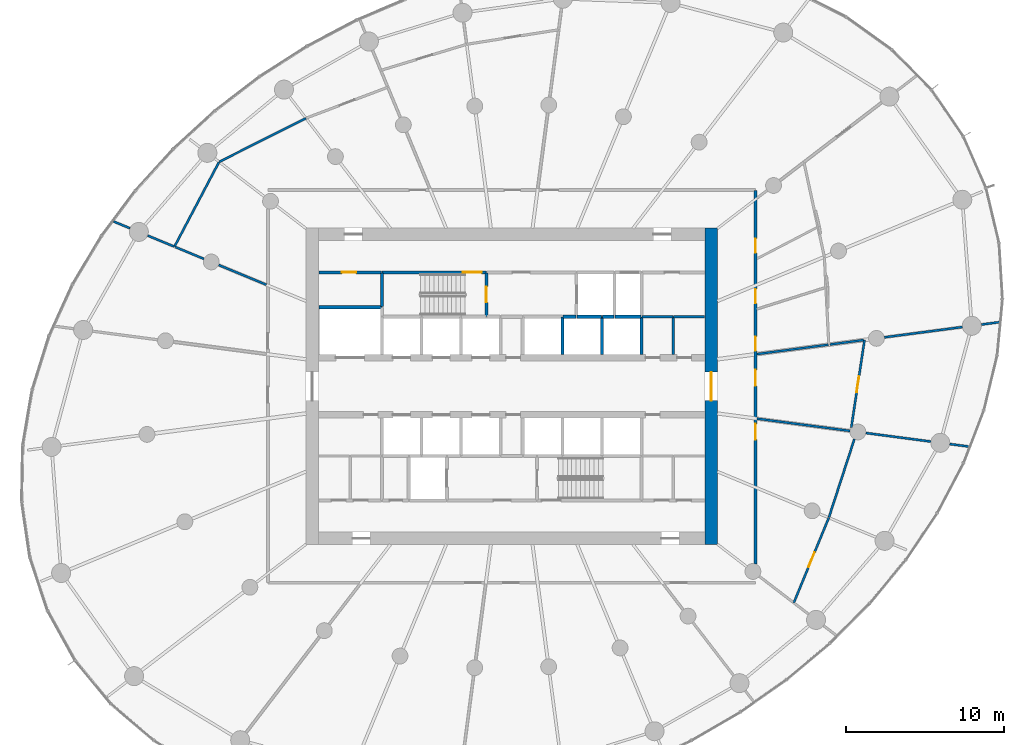
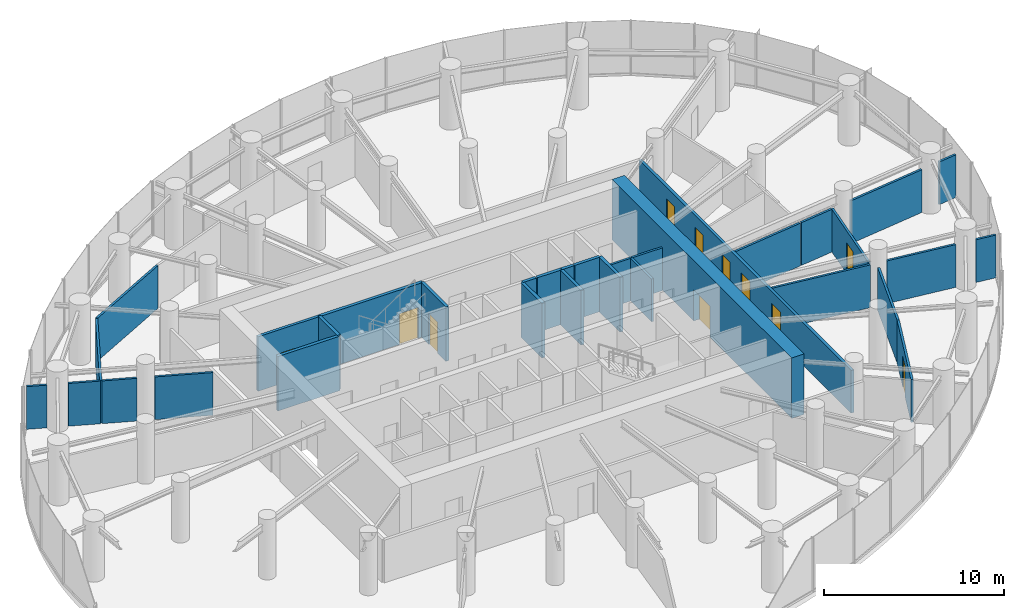
# One storey, part 13 of 18: 33 walls, 11 doors, 11 openings.
"""IFC4 building model written with IfcOpenShell, lengths in metres."""

from ifc_helpers import new_model, si_unit, direction, frame, frame_2d, origin, place, context, subcontext, project, spatial, rectangle, extrude, source, transform, mapped, material, layer, layer_set, type_object, element, fill, save


model = new_model("IFC4")

# Units and contexts
model_context = context("Model", 3, precision=1e-05, world=origin(), true_north=direction((0.0, 1.0)))
body_context = subcontext(model_context, "Body", "Model", "MODEL_VIEW")
ifc_project = project(units=[si_unit("LENGTHUNIT", "METRE"), si_unit("AREAUNIT", "SQUARE_METRE"), si_unit("VOLUMEUNIT", "CUBIC_METRE"), si_unit("PLANEANGLEUNIT", "RADIAN"), si_unit("MASSUNIT", "GRAM", prefix="KILO")], contexts=[model_context])

# Site, building, storey
site_placement = place(None, origin())
site = spatial("IfcSite", under=ifc_project, at=site_placement, CompositionType="ELEMENT")
building_placement = place(site_placement, origin())
building = spatial("IfcBuilding", under=site, at=building_placement, Name="Spindrift Exchange Tower", CompositionType="ELEMENT")
storey_placement = place(building_placement, frame((0.0, 0.0, 116.699951171875)))
storey = spatial("IfcBuildingStorey", under=building, at=storey_placement, Name="L27", CompositionType="ELEMENT", Elevation=116.699951171875)

# Wall, opening, door
ifc_material_1 = material(Name="Concrete 65 MPa", Category="concrete")
ifc_layer_1 = layer(ifc_material_1, 0.800048828125)
ifc_layer_set_1 = layer_set([ifc_layer_1], Name="RC Core Wall 800 Concrete 65 MPa")
wall_type_1 = type_object("IfcWallType", Name="RC Core Wall 800 Concrete 65 MPa", PredefinedType="SHEAR", material=ifc_layer_set_1)
wall_1_placement = place(storey_placement, frame((64.60009765625, 38.0, 0.0), z_axis=(0.0, 0.0, 1.0), x_axis=(0.0, 1.0, 0.0)))
wall_1 = element("IfcWall", 1, at=wall_1_placement, inside=storey, type_object=wall_type_1, Name="Core wall E L27", PredefinedType="SHEAR", context=body_context, shape_type="SweptSolid", body=[
    extrude(rectangle(XDim=20.0, YDim=0.800048828125, at=frame_2d((10.0, 0.0))), origin(), (0.0, 0.0, 1.0), 4.10009765625),
])
opening_1_placement = place(wall_1_placement, frame((9.10009765625, 0.0, 0.0)))
opening_1 = element("IfcOpeningElement", 2, at=opening_1_placement, cuts=wall_1, Name="Opening L27-D2", PredefinedType="OPENING", context=body_context, shape_type="SweptSolid", body=[
    extrude(rectangle(XDim=1.800048828125, YDim=2.10009765625, at=frame_2d((0.89990234375, 1.050048828125))), frame((0.0, 0.409912109375, 0.0), z_axis=(0.0, -1.0, 0.0), x_axis=(1.0, 0.0, 0.0)), (0.0, 0.0, 1.0), 0.820068359375),
])
ifc_material_2 = material(Name="Timber-core fire door", Category="wood")
door_type_1 = type_object("IfcDoorType", Name="DR-LOBBY-1800", OperationType="NOTDEFINED", PredefinedType="DOOR", material=ifc_material_2)
shared_shape_1 = source(origin(), body_context, "Body", "SweptSolid", [
    extrude(rectangle(XDim=1.800048828125, YDim=2.10009765625, at=frame_2d((0.89990234375, 1.050048828125))), frame((0.0, 0.02490234375, 0.0), z_axis=(0.0, -1.0, 0.0), x_axis=(1.0, 0.0, 0.0)), (0.0, 0.0, 1.0), 0.050048828125),
])
door_1_placement = place(opening_1_placement, origin())
door_1 = element("IfcDoor", 3, at=door_1_placement, inside=storey, type_object=door_type_1, Name="L27 Lobby door 2", OperationType="SINGLE_SWING_LEFT", OverallHeight=2.10009765625, OverallWidth=1.800048828125, PredefinedType="DOOR", context=body_context, shape_type="MappedRepresentation", body=[
    mapped(shared_shape_1, transform((0.0, 0.0, 0.0), scale=1.0)),
])
fill(opening_1, door_1)

ifc_material_3 = material(Name="Fire-rated plasterboard partition", Category="gypsum")
ifc_layer_2 = layer(ifc_material_3, 0.179931640625)
ifc_layer_set_2 = layer_set([ifc_layer_2], Name="W-CORR-180")
wall_type_2 = type_object("IfcWallType", Name="W-CORR-180", PredefinedType="PARTITIONING", material=ifc_layer_set_2)
wall_2_placement = place(storey_placement, frame((43.77001953125, 55.199951171875, 0.0), z_axis=(0.0, 0.0, 1.0), x_axis=(-1.0, 0.0, 0.0)))
wall_2 = element("IfcWall", 4, at=wall_2_placement, inside=storey, type_object=wall_type_2, Name="L27 Partition wall 64", PredefinedType="PARTITIONING", context=body_context, shape_type="SweptSolid", body=[
    extrude(rectangle(XDim=3.949951171875, YDim=0.179931640625, at=frame_2d((1.97509765625, 0.0))), origin(), (0.0, 0.0, 1.0), 3.699951171875),
])
opening_2_placement = place(wall_2_placement, frame((1.60009765625, 0.0, 0.0)))
opening_2 = element("IfcOpeningElement", 5, at=opening_2_placement, cuts=wall_2, Name="Opening L27-D43", PredefinedType="OPENING", context=body_context, shape_type="SweptSolid", body=[
    extrude(rectangle(XDim=0.89990234375, YDim=2.10009765625, at=frame_2d((0.449951171875, 1.050048828125))), frame((0.0, 0.099853515625, 0.0), z_axis=(0.0, -1.0, 0.0), x_axis=(1.0, 0.0, 0.0)), (0.0, 0.0, 1.0), 0.199951171875),
])
ifc_material_4 = material(Name="Steel access door", Category="steel")
door_type_2 = type_object("IfcDoorType", Name="DR-RISER-900", OperationType="NOTDEFINED", PredefinedType="DOOR", material=ifc_material_4)
shared_shape_2 = source(origin(), body_context, "Body", "SweptSolid", [
    extrude(rectangle(XDim=0.89990234375, YDim=2.10009765625, at=frame_2d((0.449951171875, 1.050048828125))), frame((0.0, 0.02490234375, 0.0), z_axis=(0.0, -1.0, 0.0), x_axis=(1.0, 0.0, 0.0)), (0.0, 0.0, 1.0), 0.050048828125),
])
door_2_placement = place(opening_2_placement, origin())
door_2 = element("IfcDoor", 6, at=door_2_placement, inside=storey, type_object=door_type_2, Name="L27 Riser door 43", OperationType="SINGLE_SWING_RIGHT", OverallHeight=2.10009765625, OverallWidth=0.89990234375, PredefinedType="DOOR", context=body_context, shape_type="MappedRepresentation", body=[
    mapped(shared_shape_2, transform((0.0, 0.0, 0.0), scale=1.0)),
])
fill(opening_2, door_2)

# Walls
ifc_layer_3 = layer(ifc_material_3, 0.139892578125)
ifc_layer_set_3 = layer_set([ifc_layer_3], Name="W-PART-140")
wall_type_3 = type_object("IfcWallType", Name="W-PART-140", PredefinedType="PARTITIONING", material=ifc_layer_set_3)
wall_3_placement = place(storey_placement, frame((39.004150390625, 64.9365234375, 0.0), z_axis=(0.0, 0.0, 1.0), x_axis=(-0.893310463622, -0.449440113456, 0.0)))
element("IfcWall", 7, at=wall_3_placement, inside=storey, type_object=wall_type_3, Name="L27 Partition wall 67", PredefinedType="PARTITIONING", context=body_context, shape_type="SweptSolid", body=[
    extrude(rectangle(XDim=6.13671875, YDim=0.139892578125, at=frame_2d((3.068359375, 0.0))), origin(), (0.0, 0.0, 1.0), 2.900146484375),
])
wall_4_placement = place(storey_placement, frame((33.50830078125, 62.152099609375, 0.0), z_axis=(0.0, 0.0, 1.0), x_axis=(-0.466160635686, -0.88470009706, 0.0)))
element("IfcWall", 8, at=wall_4_placement, inside=storey, type_object=wall_type_3, Name="L27 Partition wall 69", PredefinedType="PARTITIONING", context=body_context, shape_type="SweptSolid", body=[
    extrude(rectangle(XDim=6.02392578125, YDim=0.139892578125, at=frame_2d((3.011962890625, 0.0))), origin(), (0.0, 0.0, 1.0), 2.900146484375),
])
wall_5_placement = place(storey_placement, frame((67.489990234375, 50.039306640625, 0.0), z_axis=(0.0, 0.0, 1.0), x_axis=(0.991447158899, 0.130508739594, 0.0)))
element("IfcWall", 9, at=wall_5_placement, inside=storey, type_object=wall_type_3, Name="L27 Partition wall 83", PredefinedType="PARTITIONING", context=body_context, shape_type="SweptSolid", body=[
    extrude(rectangle(XDim=4.5419921875, YDim=0.139892578125, at=frame_2d((2.27099609375, 0.0))), origin(), (0.0, 0.0, 1.0), 2.900146484375),
])
wall_6_placement = place(storey_placement, frame((36.510009765625, 54.416259765625, 0.0), z_axis=(0.0, 0.0, 1.0), x_axis=(-0.923911109142, 0.382607190737, 0.0)))
element("IfcWall", 10, at=wall_6_placement, inside=storey, type_object=wall_type_3, Name="L27 Partition wall 89", PredefinedType="PARTITIONING", context=body_context, shape_type="SweptSolid", body=[
    extrude(rectangle(XDim=3.264404296875, YDim=0.139892578125, at=frame_2d((1.63232421875, 0.0))), origin(), (0.0, 0.0, 1.0), 2.900146484375),
])
wall_7_placement = place(storey_placement, frame((62.199951171875, 50.010009765625, 0.0), z_axis=(0.0, 0.0, 1.0), x_axis=(0.0, 1.0, 0.0)))
element("IfcWall", 11, at=wall_7_placement, inside=storey, type_object=wall_type_3, Name="L27 Partition wall 94", PredefinedType="PARTITIONING", context=body_context, shape_type="SweptSolid", body=[
    extrude(rectangle(XDim=2.389892578125, YDim=0.139892578125, at=frame_2d((1.19482421875, 0.0))), origin(), (0.0, 0.0, 1.0), 2.900146484375),
])
wall_8_placement = place(storey_placement, frame((32.560791015625, 56.052001953125, 0.0), z_axis=(0.0, 0.0, 1.0), x_axis=(-0.923859136089, 0.382732669974, 0.0)))
element("IfcWall", 12, at=wall_8_placement, inside=storey, type_object=wall_type_3, Name="L27 Partition wall 99", PredefinedType="PARTITIONING", context=body_context, shape_type="SweptSolid", body=[
    extrude(rectangle(XDim=1.943603515625, YDim=0.139892578125, at=frame_2d((0.9716796875, 0.0))), origin(), (0.0, 0.0, 1.0), 2.900146484375),
])
wall_9_placement = place(storey_placement, frame((62.169921875, 52.39990234375, 0.0), z_axis=(0.0, 0.0, 1.0), x_axis=(-1.0, 0.0, 0.0)))
element("IfcWall", 13, at=wall_9_placement, inside=storey, type_object=wall_type_3, Name="L27 Partition wall 102", PredefinedType="PARTITIONING", context=body_context, shape_type="SweptSolid", body=[
    extrude(rectangle(XDim=1.93994140625, YDim=0.139892578125, at=frame_2d((0.969970703125, 0.0))), origin(), (0.0, 0.0, 1.0), 2.900146484375),
])
wall_10_placement = place(storey_placement, frame((64.179931640625, 52.39990234375, 0.0), z_axis=(0.0, 0.0, 1.0), x_axis=(-1.0, 0.0, 0.0)))
element("IfcWall", 14, at=wall_10_placement, inside=storey, type_object=wall_type_3, Name="L27 Partition wall 104", PredefinedType="PARTITIONING", context=body_context, shape_type="SweptSolid", body=[
    extrude(rectangle(XDim=1.949951171875, YDim=0.139892578125, at=frame_2d((0.97509765625, 0.0))), origin(), (0.0, 0.0, 1.0), 2.900146484375),
])
wall_11_placement = place(storey_placement, frame((30.672607421875, 56.834228515625, 0.0), z_axis=(0.0, 0.0, 1.0), x_axis=(-0.923914248106, 0.382599610751, 0.0)))
element("IfcWall", 15, at=wall_11_placement, inside=storey, type_object=wall_type_3, Name="L27 Partition wall 107", PredefinedType="PARTITIONING", context=body_context, shape_type="SweptSolid", body=[
    extrude(rectangle(XDim=1.798095703125, YDim=0.139892578125, at=frame_2d((0.89892578125, 0.0))), origin(), (0.0, 0.0, 1.0), 2.900146484375),
])
wall_12_placement = place(storey_placement, frame((27.893310546875, 57.9853515625, 0.0), z_axis=(0.0, 0.0, 1.0), x_axis=(-0.923895360736, 0.382645217415, 0.0)))
element("IfcWall", 16, at=wall_12_placement, inside=storey, type_object=wall_type_3, Name="L27 Partition wall 120", PredefinedType="PARTITIONING", context=body_context, shape_type="SweptSolid", body=[
    extrude(rectangle(XDim=1.126708984375, YDim=0.139892578125, at=frame_2d((0.5634765625, 0.0))), origin(), (0.0, 0.0, 1.0), 2.900146484375),
])
ifc_layer_4 = layer(ifc_material_3, 0.139892578125)
ifc_layer_set_4 = layer_set([ifc_layer_4], Name="W-PLANT-140")
wall_type_4 = type_object("IfcWallType", Name="W-PLANT-140", PredefinedType="PARTITIONING", material=ifc_layer_set_4)
wall_13_placement = place(storey_placement, frame((67.489990234375, 45.960693359375, 0.0), z_axis=(0.0, 0.0, 1.0), x_axis=(0.991445034615, -0.130524876315, 0.0)))
element("IfcWall", 17, at=wall_13_placement, inside=storey, type_object=wall_type_4, Name="L27 Partition wall 70", PredefinedType="PARTITIONING", context=body_context, shape_type="SweptSolid", body=[
    extrude(rectangle(XDim=5.923828125, YDim=0.139892578125, at=frame_2d((2.9619140625, 0.0))), origin(), (0.0, 0.0, 1.0), 2.900146484375),
])

# Wall, opening, door
wall_14_placement = place(storey_placement, frame((72.025390625, 39.705078125, 0.0), z_axis=(0.0, 0.0, 1.0), x_axis=(-0.380730787006, -0.924685929289, 0.0)))
wall_14 = element("IfcWall", 18, at=wall_14_placement, inside=storey, type_object=wall_type_4, Name="L27 Partition wall 73", PredefinedType="PARTITIONING", context=body_context, shape_type="SweptSolid", body=[
    extrude(rectangle(XDim=5.81103515625, YDim=0.139892578125, at=frame_2d((2.905517578125, 0.0))), origin(), (0.0, 0.0, 1.0), 2.900146484375),
])
opening_3_placement = place(wall_14_placement, frame((2.361083984375, 0.0, 0.0)))
opening_3 = element("IfcOpeningElement", 19, at=opening_3_placement, cuts=wall_14, Name="Opening L27-D40", PredefinedType="OPENING", context=body_context, shape_type="SweptSolid", body=[
    extrude(rectangle(XDim=1.0, YDim=2.10009765625, at=frame_2d((0.5, 1.050048828125))), frame((0.0, 0.079833984375, 0.0), z_axis=(0.0, -1.0, 0.0), x_axis=(1.0, 0.0, 0.0)), (0.0, 0.0, 1.0), 0.159912109375),
])
door_type_3 = type_object("IfcDoorType", Name="DR-ROOM-1000", OperationType="NOTDEFINED", PredefinedType="DOOR", material=ifc_material_2)
shared_shape_3 = source(origin(), body_context, "Body", "SweptSolid", [
    extrude(rectangle(XDim=1.0, YDim=2.10009765625, at=frame_2d((0.5, 1.050048828125))), frame((0.0, 0.02490234375, 0.0), z_axis=(0.0, -1.0, 0.0), x_axis=(1.0, 0.0, 0.0)), (0.0, 0.0, 1.0), 0.050048828125),
])
door_3_placement = place(opening_3_placement, origin())
door_3 = element("IfcDoor", 20, at=door_3_placement, inside=storey, type_object=door_type_3, Name="L27 Door 40", OperationType="SINGLE_SWING_LEFT", OverallHeight=2.10009765625, OverallWidth=1.0, PredefinedType="DOOR", context=body_context, shape_type="MappedRepresentation", body=[
    mapped(shared_shape_3, transform((0.0, 0.0, 0.0), scale=1.0)),
])
fill(opening_3, door_3)

wall_15_placement = place(storey_placement, frame((74.28076171875, 50.933349609375, 0.0), z_axis=(0.0, 0.0, 1.0), x_axis=(-0.149214013395, -0.988804924243, 0.0)))
wall_15 = element("IfcWall", 21, at=wall_15_placement, inside=storey, type_object=wall_type_4, Name="L27 Partition wall 76", PredefinedType="PARTITIONING", context=body_context, shape_type="SweptSolid", body=[
    extrude(rectangle(XDim=5.589111328125, YDim=0.139892578125, at=frame_2d((2.79443359375, 0.0))), origin(), (0.0, 0.0, 1.0), 2.900146484375),
])
opening_4_placement = place(wall_15_placement, frame((2.339111328125, 0.0, 0.0)))
opening_4 = element("IfcOpeningElement", 22, at=opening_4_placement, cuts=wall_15, Name="Opening L27-D42", PredefinedType="OPENING", context=body_context, shape_type="SweptSolid", body=[
    extrude(rectangle(XDim=1.0, YDim=2.10009765625, at=frame_2d((0.5, 1.050048828125))), frame((0.0, 0.079833984375, 0.0), z_axis=(0.0, -1.0, 0.0), x_axis=(1.0, 0.0, 0.0)), (0.0, 0.0, 1.0), 0.159912109375),
])
door_4_placement = place(opening_4_placement, origin())
door_4 = element("IfcDoor", 23, at=door_4_placement, inside=storey, type_object=door_type_3, Name="L27 Door 42", OperationType="SINGLE_SWING_LEFT", OverallHeight=2.10009765625, OverallWidth=1.0, PredefinedType="DOOR", context=body_context, shape_type="MappedRepresentation", body=[
    mapped(shared_shape_3, transform((0.0, 0.0, 0.0), scale=1.0)),
])
fill(opening_4, door_4)

# Walls
wall_16_placement = place(storey_placement, frame((72.03466796875, 39.733642578125, 0.0), z_axis=(0.0, 0.0, 1.0), x_axis=(0.309177540115, 0.95100433684, 0.0)))
element("IfcWall", 24, at=wall_16_placement, inside=storey, type_object=wall_type_4, Name="L27 Partition wall 79", PredefinedType="PARTITIONING", context=body_context, shape_type="SweptSolid", body=[
    extrude(rectangle(XDim=5.1904296875, YDim=0.139892578125, at=frame_2d((2.59521484375, 0.0))), origin(), (0.0, 0.0, 1.0), 2.900146484375),
])
wall_17_placement = place(storey_placement, frame((75.533935546875, 51.098388671875, 0.0), z_axis=(0.0, 0.0, 1.0), x_axis=(0.991443414541, 0.130537181533, 0.0)))
element("IfcWall", 25, at=wall_17_placement, inside=storey, type_object=wall_type_4, Name="L27 Partition wall 80", PredefinedType="PARTITIONING", context=body_context, shape_type="SweptSolid", body=[
    extrude(rectangle(XDim=4.965576171875, YDim=0.139892578125, at=frame_2d((2.48291015625, 0.0))), origin(), (0.0, 0.0, 1.0), 2.900146484375),
])
wall_18_placement = place(storey_placement, frame((74.36328125, 45.055908203125, 0.0), z_axis=(0.0, 0.0, 1.0), x_axis=(0.991445054296, -0.130524726824, 0.0)))
element("IfcWall", 26, at=wall_18_placement, inside=storey, type_object=wall_type_4, Name="L27 Partition wall 87", PredefinedType="PARTITIONING", context=body_context, shape_type="SweptSolid", body=[
    extrude(rectangle(XDim=4.137451171875, YDim=0.139892578125, at=frame_2d((2.06884765625, 0.0))), origin(), (0.0, 0.0, 1.0), 2.900146484375),
])
wall_19_placement = place(storey_placement, frame((72.09228515625, 50.645263671875, 0.0), z_axis=(0.0, 0.0, 1.0), x_axis=(0.991447286478, 0.130507770405, 0.0)))
element("IfcWall", 27, at=wall_19_placement, inside=storey, type_object=wall_type_4, Name="L27 Partition wall 95", PredefinedType="PARTITIONING", context=body_context, shape_type="SweptSolid", body=[
    extrude(rectangle(XDim=2.134521484375, YDim=0.139892578125, at=frame_2d((1.0673828125, 0.0))), origin(), (0.0, 0.0, 1.0), 2.900146484375),
])
wall_20_placement = place(storey_placement, frame((79.663818359375, 44.35791015625, 0.0), z_axis=(0.0, 0.0, 1.0), x_axis=(0.991444694364, -0.130527460778, 0.0)))
element("IfcWall", 28, at=wall_20_placement, inside=storey, type_object=wall_type_4, Name="L27 Partition wall 116", PredefinedType="PARTITIONING", context=body_context, shape_type="SweptSolid", body=[
    extrude(rectangle(XDim=1.2119140625, YDim=0.139892578125, at=frame_2d((0.60595703125, 0.0))), origin(), (0.0, 0.0, 1.0), 2.900146484375),
])
wall_21_placement = place(storey_placement, frame((81.655517578125, 51.904296875, 0.0), z_axis=(0.0, 0.0, 1.0), x_axis=(0.991450010741, 0.130487072933, 0.0)))
element("IfcWall", 29, at=wall_21_placement, inside=storey, type_object=wall_type_4, Name="L27 Partition wall 118", PredefinedType="PARTITIONING", context=body_context, shape_type="SweptSolid", body=[
    extrude(rectangle(XDim=1.163818359375, YDim=0.139892578125, at=frame_2d((0.58203125, 0.0))), origin(), (0.0, 0.0, 1.0), 2.900146484375),
])

# Wall, openings, doors
ifc_layer_5 = layer(ifc_material_3, 0.179931640625)
ifc_layer_set_5 = layer_set([ifc_layer_5], Name="W-PLANT-180")
wall_type_5 = type_object("IfcWallType", Name="W-PLANT-180", PredefinedType="PARTITIONING", material=ifc_layer_set_5)
wall_22_placement = place(storey_placement, frame((67.39990234375, 60.3701171875, 0.0), z_axis=(0.0, 0.0, 1.0), x_axis=(0.0, -1.0, 0.0)))
wall_22 = element("IfcWall", 30, at=wall_22_placement, inside=storey, type_object=wall_type_5, Name="L27 Partition wall 59", PredefinedType="PARTITIONING", context=body_context, shape_type="SweptSolid", body=[
    extrude(rectangle(XDim=23.58251953125, YDim=0.179931640625, at=frame_2d((11.791259765625, 0.0))), origin(), (0.0, 0.0, 1.0), 2.900146484375),
])
opening_5_placement = place(wall_22_placement, frame((9.232421875, 0.0, 0.0)))
opening_5 = element("IfcOpeningElement", 31, at=opening_5_placement, cuts=wall_22, Name="Opening L27-D24", PredefinedType="OPENING", context=body_context, shape_type="SweptSolid", body=[
    extrude(rectangle(XDim=0.89990234375, YDim=2.10009765625, at=frame_2d((0.449951171875, 1.050048828125))), frame((0.0, 0.099853515625, 0.0), z_axis=(0.0, -1.0, 0.0), x_axis=(1.0, 0.0, 0.0)), (0.0, 0.0, 1.0), 0.199951171875),
])
opening_6_placement = place(wall_22_placement, frame((6.232421875, 0.0, 0.0)))
opening_6 = element("IfcOpeningElement", 32, at=opening_6_placement, cuts=wall_22, Name="Opening L27-D25", PredefinedType="OPENING", context=body_context, shape_type="SweptSolid", body=[
    extrude(rectangle(XDim=0.89990234375, YDim=2.10009765625, at=frame_2d((0.449951171875, 1.050048828125))), frame((0.0, 0.099853515625, 0.0), z_axis=(0.0, -1.0, 0.0), x_axis=(1.0, 0.0, 0.0)), (0.0, 0.0, 1.0), 0.199951171875),
])
opening_7_placement = place(wall_22_placement, frame((3.032470703125, 0.0, 0.0)))
opening_7 = element("IfcOpeningElement", 33, at=opening_7_placement, cuts=wall_22, Name="Opening L27-D26", PredefinedType="OPENING", context=body_context, shape_type="SweptSolid", body=[
    extrude(rectangle(XDim=0.89990234375, YDim=2.10009765625, at=frame_2d((0.449951171875, 1.050048828125))), frame((0.0, 0.099853515625, 0.0), z_axis=(0.0, -1.0, 0.0), x_axis=(1.0, 0.0, 0.0)), (0.0, 0.0, 1.0), 0.199951171875),
])
opening_8_placement = place(wall_22_placement, frame((14.732421875, 0.0, 0.0)))
opening_8 = element("IfcOpeningElement", 34, at=opening_8_placement, cuts=wall_22, Name="Opening L27-D39", PredefinedType="OPENING", context=body_context, shape_type="SweptSolid", body=[
    extrude(rectangle(XDim=1.0, YDim=2.10009765625, at=frame_2d((0.5, 1.050048828125))), frame((0.0, 0.099853515625, 0.0), z_axis=(0.0, -1.0, 0.0), x_axis=(1.0, 0.0, 0.0)), (0.0, 0.0, 1.0), 0.199951171875),
])
opening_9_placement = place(wall_22_placement, frame((11.33251953125, 0.0, 0.0)))
opening_9 = element("IfcOpeningElement", 35, at=opening_9_placement, cuts=wall_22, Name="Opening L27-D41", PredefinedType="OPENING", context=body_context, shape_type="SweptSolid", body=[
    extrude(rectangle(XDim=1.0, YDim=2.10009765625, at=frame_2d((0.5, 1.050048828125))), frame((0.0, 0.099853515625, 0.0), z_axis=(0.0, -1.0, 0.0), x_axis=(1.0, 0.0, 0.0)), (0.0, 0.0, 1.0), 0.199951171875),
])
door_5_placement = place(opening_8_placement, origin())
door_5 = element("IfcDoor", 36, at=door_5_placement, inside=storey, type_object=door_type_3, Name="L27 Door 39", OperationType="SINGLE_SWING_RIGHT", OverallHeight=2.10009765625, OverallWidth=1.0, PredefinedType="DOOR", context=body_context, shape_type="MappedRepresentation", body=[
    mapped(shared_shape_3, transform((0.0, 0.0, 0.0), scale=1.0)),
])
fill(opening_8, door_5)
door_6_placement = place(opening_9_placement, origin())
door_6 = element("IfcDoor", 37, at=door_6_placement, inside=storey, type_object=door_type_3, Name="L27 Door 41", OperationType="SINGLE_SWING_RIGHT", OverallHeight=2.10009765625, OverallWidth=1.0, PredefinedType="DOOR", context=body_context, shape_type="MappedRepresentation", body=[
    mapped(shared_shape_3, transform((0.0, 0.0, 0.0), scale=1.0)),
])
fill(opening_9, door_6)
ifc_material_5 = material(Name="Laminate washroom door", Category="wood")
door_type_4 = type_object("IfcDoorType", Name="DR-WC-900", OperationType="NOTDEFINED", PredefinedType="DOOR", material=ifc_material_5)
shared_shape_4 = source(origin(), body_context, "Body", "SweptSolid", [
    extrude(rectangle(XDim=0.89990234375, YDim=2.10009765625, at=frame_2d((0.449951171875, 1.050048828125))), frame((0.0, 0.02490234375, 0.0), z_axis=(0.0, -1.0, 0.0), x_axis=(1.0, 0.0, 0.0)), (0.0, 0.0, 1.0), 0.050048828125),
])
door_7_placement = place(opening_5_placement, origin())
door_7 = element("IfcDoor", 38, at=door_7_placement, inside=storey, type_object=door_type_4, Name="L27 WC door 24", OperationType="SINGLE_SWING_LEFT", OverallHeight=2.10009765625, OverallWidth=0.89990234375, PredefinedType="DOOR", context=body_context, shape_type="MappedRepresentation", body=[
    mapped(shared_shape_4, transform((0.0, 0.0, 0.0), scale=1.0)),
])
fill(opening_5, door_7)
door_8_placement = place(opening_6_placement, origin())
door_8 = element("IfcDoor", 39, at=door_8_placement, inside=storey, type_object=door_type_4, Name="L27 WC door 25", OperationType="SINGLE_SWING_RIGHT", OverallHeight=2.10009765625, OverallWidth=0.89990234375, PredefinedType="DOOR", context=body_context, shape_type="MappedRepresentation", body=[
    mapped(shared_shape_4, transform((0.0, 0.0, 0.0), scale=1.0)),
])
fill(opening_6, door_8)
door_9_placement = place(opening_7_placement, origin())
door_9 = element("IfcDoor", 40, at=door_9_placement, inside=storey, type_object=door_type_4, Name="L27 WC door 26", OperationType="SINGLE_SWING_LEFT", OverallHeight=2.10009765625, OverallWidth=0.89990234375, PredefinedType="DOOR", context=body_context, shape_type="MappedRepresentation", body=[
    mapped(shared_shape_4, transform((0.0, 0.0, 0.0), scale=1.0)),
])
fill(opening_7, door_9)

# Walls
ifc_material_6 = material(Name="Concrete 40 MPa", Category="concrete")
ifc_layer_6 = layer(ifc_material_6, 0.199951171875)
ifc_layer_set_6 = layer_set([ifc_layer_6], Name="W-SHAFT-200")
wall_type_6 = type_object("IfcWallType", Name="W-SHAFT-200", PredefinedType="SOLIDWALL", material=ifc_layer_set_6)
wall_23_placement = place(storey_placement, frame((55.199951171875, 50.010009765625, 0.0), z_axis=(0.0, 0.0, 1.0), x_axis=(0.0, 1.0, 0.0)))
element("IfcWall", 41, at=wall_23_placement, inside=storey, type_object=wall_type_6, Name="L27 Shaft wall 34", PredefinedType="SOLIDWALL", context=body_context, shape_type="SweptSolid", body=[
    extrude(rectangle(XDim=2.360107421875, YDim=0.199951171875, at=frame_2d((1.18017578125, 0.0))), origin(), (0.0, 0.0, 1.0), 3.699951171875),
])
wall_24_placement = place(storey_placement, frame((57.699951171875, 50.010009765625, 0.0), z_axis=(0.0, 0.0, 1.0), x_axis=(0.0, 1.0, 0.0)))
element("IfcWall", 42, at=wall_24_placement, inside=storey, type_object=wall_type_6, Name="L27 Shaft wall 36", PredefinedType="SOLIDWALL", context=body_context, shape_type="SweptSolid", body=[
    extrude(rectangle(XDim=2.389892578125, YDim=0.199951171875, at=frame_2d((1.19482421875, 0.0))), origin(), (0.0, 0.0, 1.0), 3.699951171875),
])
wall_25_placement = place(storey_placement, frame((60.199951171875, 50.010009765625, 0.0), z_axis=(0.0, 0.0, 1.0), x_axis=(0.0, 1.0, 0.0)))
element("IfcWall", 43, at=wall_25_placement, inside=storey, type_object=wall_type_6, Name="L27 Shaft wall 38", PredefinedType="SOLIDWALL", context=body_context, shape_type="SweptSolid", body=[
    extrude(rectangle(XDim=2.360107421875, YDim=0.199951171875, at=frame_2d((1.18017578125, 0.0))), origin(), (0.0, 0.0, 1.0), 3.699951171875),
])
wall_26_placement = place(storey_placement, frame((60.169921875, 52.39990234375, 0.0), z_axis=(0.0, 0.0, 1.0), x_axis=(-1.0, 0.0, 0.0)))
element("IfcWall", 44, at=wall_26_placement, inside=storey, type_object=wall_type_6, Name="L27 Shaft wall 42", PredefinedType="SOLIDWALL", context=body_context, shape_type="SweptSolid", body=[
    extrude(rectangle(XDim=1.639892578125, YDim=0.199951171875, at=frame_2d((0.81982421875, 0.0))), origin(), (0.0, 0.0, 1.0), 3.699951171875),
])
wall_27_placement = place(storey_placement, frame((57.669921875, 52.39990234375, 0.0), z_axis=(0.0, 0.0, 1.0), x_axis=(-1.0, 0.0, 0.0)))
element("IfcWall", 45, at=wall_27_placement, inside=storey, type_object=wall_type_6, Name="L27 Shaft wall 47", PredefinedType="SOLIDWALL", context=body_context, shape_type="SweptSolid", body=[
    extrude(rectangle(XDim=1.5400390625, YDim=0.199951171875, at=frame_2d((0.77001953125, 0.0))), origin(), (0.0, 0.0, 1.0), 3.699951171875),
])
wall_28_placement = place(storey_placement, frame((56.070068359375, 52.39990234375, 0.0), z_axis=(0.0, 0.0, 1.0), x_axis=(-1.0, 0.0, 0.0)))
element("IfcWall", 46, at=wall_28_placement, inside=storey, type_object=wall_type_6, Name="L27 Shaft wall 53", PredefinedType="SOLIDWALL", context=body_context, shape_type="SweptSolid", body=[
    extrude(rectangle(XDim=0.840087890625, YDim=0.199951171875, at=frame_2d((0.419921875, 0.0))), origin(), (0.0, 0.0, 1.0), 3.699951171875),
])
wall_29_placement = place(storey_placement, frame((58.469970703125, 52.39990234375, 0.0), z_axis=(0.0, 0.0, 1.0), x_axis=(-1.0, 0.0, 0.0)))
element("IfcWall", 47, at=wall_29_placement, inside=storey, type_object=wall_type_6, Name="L27 Shaft wall 55", PredefinedType="SOLIDWALL", context=body_context, shape_type="SweptSolid", body=[
    extrude(rectangle(XDim=0.739990234375, YDim=0.199951171875, at=frame_2d((0.3701171875, 0.0))), origin(), (0.0, 0.0, 1.0), 3.699951171875),
])

# Wall, opening, door
ifc_layer_7 = layer(ifc_material_6, 0.199951171875)
ifc_layer_set_7 = layer_set([ifc_layer_7], Name="W-SHAFT-200-LB")
wall_type_7 = type_object("IfcWallType", Name="W-SHAFT-200-LB", PredefinedType="SOLIDWALL", material=ifc_layer_set_7)
wall_30_placement = place(storey_placement, frame((50.39990234375, 55.199951171875, 0.0), z_axis=(0.0, 0.0, 1.0), x_axis=(-1.0, 0.0, 0.0)))
wall_30 = element("IfcWall", 48, at=wall_30_placement, inside=storey, type_object=wall_type_7, Name="L27 Shaft wall 1", PredefinedType="SOLIDWALL", context=body_context, shape_type="SweptSolid", body=[
    extrude(rectangle(XDim=6.599853515625, YDim=0.199951171875, at=frame_2d((3.2998046875, 0.0))), origin(), (0.0, 0.0, 1.0), 3.699951171875),
])
opening_10_placement = place(wall_30_placement, frame((0.300048828125, 0.0, 0.0)))
opening_10 = element("IfcOpeningElement", 49, at=opening_10_placement, cuts=wall_30, Name="Opening L27-D13", PredefinedType="OPENING", context=body_context, shape_type="SweptSolid", body=[
    extrude(rectangle(XDim=1.199951171875, YDim=2.10009765625, at=frame_2d((0.60009765625, 1.050048828125))), frame((0.0, 0.10986328125, 0.0), z_axis=(0.0, -1.0, 0.0), x_axis=(1.0, 0.0, 0.0)), (0.0, 0.0, 1.0), 0.219970703125),
])
ifc_material_7 = material(Name="Steel fire door", Category="steel")
door_type_5 = type_object("IfcDoorType", Name="DR-STAIR-1200", OperationType="NOTDEFINED", PredefinedType="DOOR", material=ifc_material_7)
shared_shape_5 = source(origin(), body_context, "Body", "SweptSolid", [
    extrude(rectangle(XDim=1.199951171875, YDim=2.10009765625, at=frame_2d((0.60009765625, 1.050048828125))), frame((0.0, 0.02490234375, 0.0), z_axis=(0.0, -1.0, 0.0), x_axis=(1.0, 0.0, 0.0)), (0.0, 0.0, 1.0), 0.050048828125),
])
door_10_placement = place(opening_10_placement, origin())
door_10 = element("IfcDoor", 50, at=door_10_placement, inside=storey, type_object=door_type_5, Name="L27 Stair door 13", OperationType="SINGLE_SWING_RIGHT", OverallHeight=2.10009765625, OverallWidth=1.199951171875, PredefinedType="DOOR", context=body_context, shape_type="MappedRepresentation", body=[
    mapped(shared_shape_5, transform((0.0, 0.0, 0.0), scale=1.0)),
])
fill(opening_10, door_10)

# Wall
wall_31_placement = place(storey_placement, frame((43.800048828125, 53.0, 0.0), z_axis=(0.0, 0.0, 1.0), x_axis=(-1.0, 0.0, 0.0)))
element("IfcWall", 51, at=wall_31_placement, inside=storey, type_object=wall_type_7, Name="L27 Shaft wall 5", PredefinedType="SOLIDWALL", context=body_context, shape_type="SweptSolid", body=[
    extrude(rectangle(XDim=3.97998046875, YDim=0.199951171875, at=frame_2d((1.989990234375, 0.0))), origin(), (0.0, 0.0, 1.0), 3.699951171875),
])

# Wall, opening, door
wall_32_placement = place(storey_placement, frame((50.39990234375, 52.39990234375, 0.0), z_axis=(0.0, 0.0, 1.0), x_axis=(0.0, 1.0, 0.0)))
wall_32 = element("IfcWall", 52, at=wall_32_placement, inside=storey, type_object=wall_type_7, Name="L27 Shaft wall 9", PredefinedType="SOLIDWALL", context=body_context, shape_type="SweptSolid", body=[
    extrude(rectangle(XDim=2.77001953125, YDim=0.199951171875, at=frame_2d((1.385009765625, 0.0))), origin(), (0.0, 0.0, 1.0), 3.699951171875),
])
opening_11_placement = place(wall_32_placement, frame((0.89990234375, 0.0, 0.0)))
opening_11 = element("IfcOpeningElement", 53, at=opening_11_placement, cuts=wall_32, Name="Opening L27-D14", PredefinedType="OPENING", context=body_context, shape_type="SweptSolid", body=[
    extrude(rectangle(XDim=1.0, YDim=2.10009765625, at=frame_2d((0.5, 1.050048828125))), frame((0.0, 0.10986328125, 0.0), z_axis=(0.0, -1.0, 0.0), x_axis=(1.0, 0.0, 0.0)), (0.0, 0.0, 1.0), 0.219970703125),
])
door_type_6 = type_object("IfcDoorType", Name="DR-STAIR-1000", OperationType="NOTDEFINED", PredefinedType="DOOR", material=ifc_material_7)
shared_shape_6 = source(origin(), body_context, "Body", "SweptSolid", [
    extrude(rectangle(XDim=1.0, YDim=2.10009765625, at=frame_2d((0.5, 1.050048828125))), frame((0.0, 0.02490234375, 0.0), z_axis=(0.0, -1.0, 0.0), x_axis=(1.0, 0.0, 0.0)), (0.0, 0.0, 1.0), 0.050048828125),
])
door_11_placement = place(opening_11_placement, origin())
door_11 = element("IfcDoor", 54, at=door_11_placement, inside=storey, type_object=door_type_6, Name="L27 Stair door 14", OperationType="SINGLE_SWING_LEFT", OverallHeight=2.10009765625, OverallWidth=1.0, PredefinedType="DOOR", context=body_context, shape_type="MappedRepresentation", body=[
    mapped(shared_shape_6, transform((0.0, 0.0, 0.0), scale=1.0)),
])
fill(opening_11, door_11)

# Wall
wall_33_placement = place(storey_placement, frame((43.800048828125, 55.169921875, 0.0), z_axis=(0.0, 0.0, 1.0), x_axis=(0.0, -1.0, 0.0)))
element("IfcWall", 55, at=wall_33_placement, inside=storey, type_object=wall_type_7, Name="L27 Shaft wall 39", PredefinedType="SOLIDWALL", context=body_context, shape_type="SweptSolid", body=[
    extrude(rectangle(XDim=2.139892578125, YDim=0.199951171875, at=frame_2d((1.06982421875, 0.0))), origin(), (0.0, 0.0, 1.0), 3.699951171875),
])

save(model, "model.ifc")
